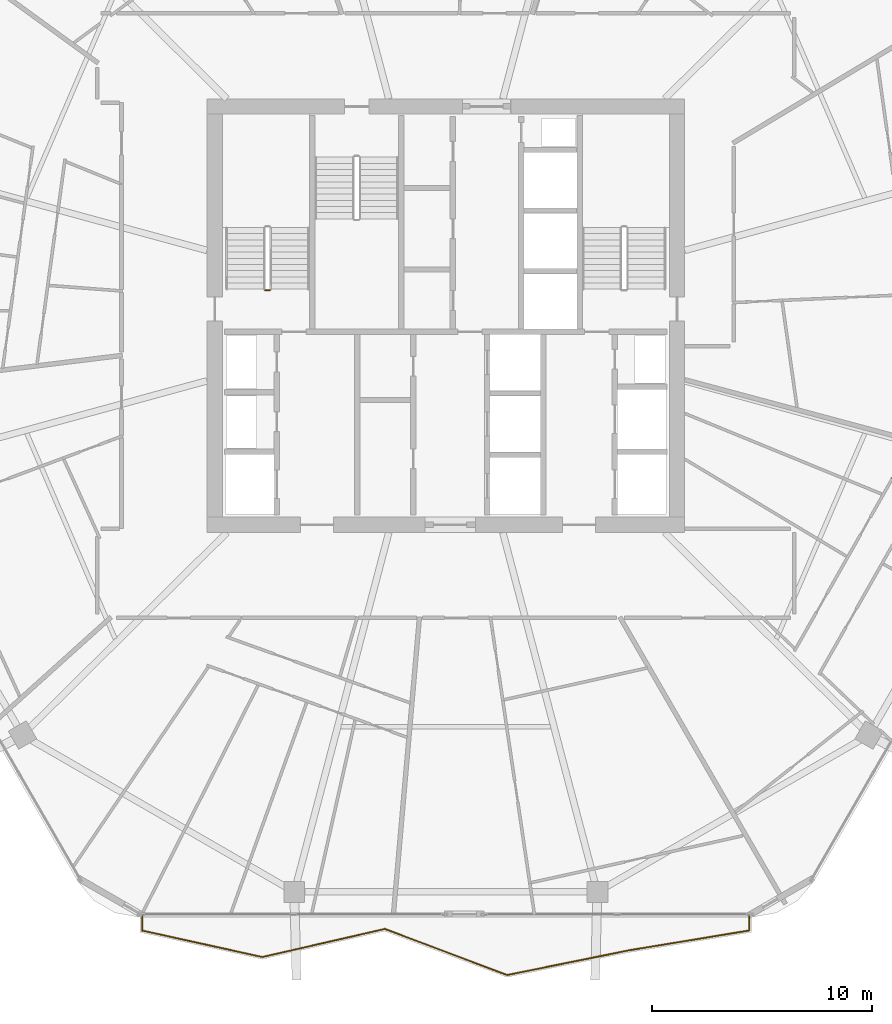
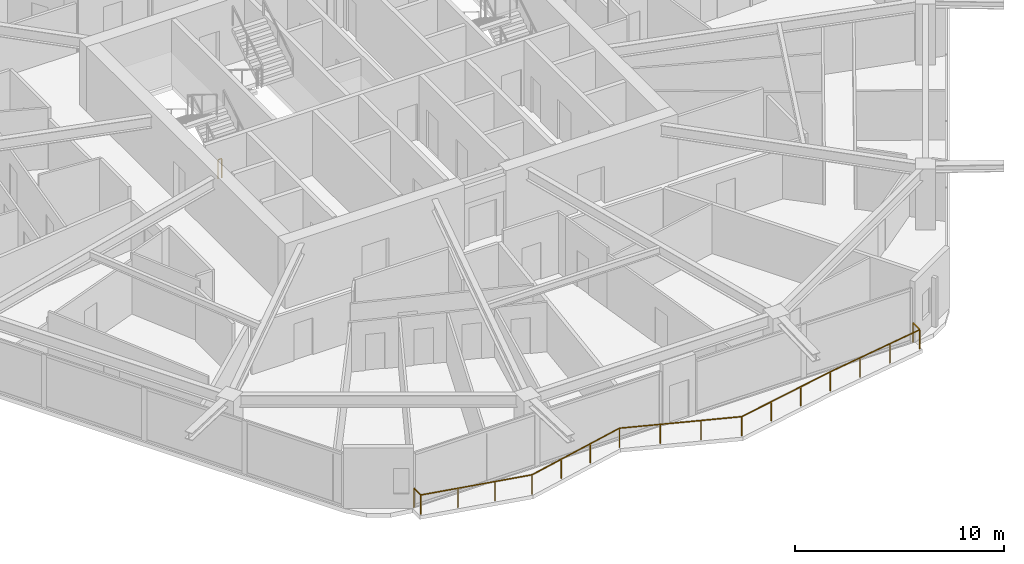
# One storey, part 24 of 25: 2 railings.
"""IFC4 building model written with IfcOpenShell, lengths in metres."""

from ifc_helpers import new_model, si_unit, direction, frame, origin, origin_2d, place, context, subcontext, project, spatial, rectangle, extrude, material, type_object, element, save


model = new_model("IFC4")

# Units and contexts
model_context = context("Model", 3, precision=1e-05, world=origin(), true_north=direction((0.0, 1.0)))
body_context = subcontext(model_context, "Body", "Model", "MODEL_VIEW")
ifc_project = project(units=[si_unit("LENGTHUNIT", "METRE"), si_unit("AREAUNIT", "SQUARE_METRE"), si_unit("VOLUMEUNIT", "CUBIC_METRE"), si_unit("PLANEANGLEUNIT", "RADIAN"), si_unit("MASSUNIT", "GRAM", prefix="KILO")], contexts=[model_context])

# Site, building, storey
site_placement = place(None, origin())
site = spatial("IfcSite", under=ifc_project, at=site_placement, CompositionType="ELEMENT")
building_placement = place(site_placement, origin())
building = spatial("IfcBuilding", under=site, at=building_placement, Name="Zuhravey Tower", CompositionType="ELEMENT")
storey_placement = place(building_placement, frame((0.0, 0.0, 196.0)))
storey = spatial("IfcBuildingStorey", under=building, at=storey_placement, Name="L49", CompositionType="ELEMENT", Elevation=196.0)

# Railings
ifc_material_1 = material(Name="Stainless steel 316 and laminated glass", Category="steel")
railing_type_1 = type_object("IfcRailingType", Name="Balcony & Terrace Guardrail 1150", PredefinedType="BALUSTRADE", material=ifc_material_1)
railing_1_placement = place(storey_placement, frame((49.7900390625, 4.73193359375, 0.0)))
element("IfcRailing", 1, at=railing_1_placement, inside=storey, type_object=railing_type_1, Name="L49 Face 5 Wave Balcony Guardrail GR1", PredefinedType="BALUSTRADE", context=body_context, shape_type="SweptSolid", body=[
    extrude(rectangle(XDim=0.048095703125, YDim=0.048095703125, at=origin_2d()), frame((0.0, -0.001953125, 1.1259765625), z_axis=(0.0, -1.0, 0.0), x_axis=(1.0, 0.0, 0.0)), (0.0, 0.0, 1.0), 0.651123046875),
    extrude(rectangle(XDim=0.048095703125, YDim=0.048095703125, at=origin_2d()), frame((-0.001953125, -0.6552734375, 1.1259765625), z_axis=(-0.986670809761, -0.162728956137, 0.0), x_axis=(0.162728956137, -0.986670809761, 0.0)), (0.0, 0.0, 1.0), 5.544189453125),
    extrude(rectangle(XDim=0.048095703125, YDim=0.048095703125, at=origin_2d()), frame((-5.47607421875, -1.558349609375, 1.1259765625), z_axis=(-0.980076515324, -0.198620301353, 0.0), x_axis=(0.198620301353, -0.980076515324, 0.0)), (0.0, 0.0, 1.0), 5.637939453125),
    extrude(rectangle(XDim=0.048095703125, YDim=0.048095703125, at=origin_2d()), frame((-11.005615234375, -2.677734375, 1.1259765625), z_axis=(-0.935884055715, 0.352308152415, 0.0), x_axis=(-0.352308152415, -0.935884055715, 0.0)), (0.0, 0.0, 1.0), 5.93408203125),
    extrude(rectangle(XDim=0.048095703125, YDim=0.048095703125, at=origin_2d()), frame((-16.56298828125, -0.5869140625, 1.1259765625), z_axis=(-0.974697383174, -0.223528546799, 0.0), x_axis=(0.223528546799, -0.974697383174, 0.0)), (0.0, 0.0, 1.0), 5.703857421875),
    extrude(rectangle(XDim=0.048095703125, YDim=0.048095703125, at=origin_2d()), frame((-22.12646484375, -1.86181640625, 1.1259765625), z_axis=(-0.976553775536, 0.215273601463, 0.0), x_axis=(-0.215273601463, -0.976553775536, 0.0)), (0.0, 0.0, 1.0), 5.58251953125),
    extrude(rectangle(XDim=0.048095703125, YDim=0.048095703125, at=origin_2d()), frame((-27.580078125, -0.65771484375, 1.1259765625), z_axis=(0.0, 1.0, 0.0), x_axis=(-1.0, 0.0, 0.0)), (0.0, 0.0, 1.0), 0.65576171875),
    extrude(rectangle(XDim=0.0419921875, YDim=0.0419921875, at=origin_2d()), origin(), (0.0, 0.0, 1.0), 1.099853515625),
    extrude(rectangle(XDim=0.0419921875, YDim=0.0419921875, at=origin_2d()), frame((0.0, -0.655029296875, 0.0)), (0.0, 0.0, 1.0), 1.099853515625),
    extrude(rectangle(XDim=0.0419921875, YDim=0.0419921875, at=origin_2d()), frame((-1.82470703125, -0.9560546875, 0.0)), (0.0, 0.0, 1.0), 1.099853515625),
    extrude(rectangle(XDim=0.0419921875, YDim=0.0419921875, at=origin_2d()), frame((-3.6494140625, -1.2568359375, 0.0)), (0.0, 0.0, 1.0), 1.099853515625),
    extrude(rectangle(XDim=0.0419921875, YDim=0.0419921875, at=origin_2d()), frame((-5.47412109375, -1.557861328125, 0.0)), (0.0, 0.0, 1.0), 1.099853515625),
    extrude(rectangle(XDim=0.0419921875, YDim=0.0419921875, at=origin_2d()), frame((-7.3173828125, -1.931396484375, 0.0)), (0.0, 0.0, 1.0), 1.099853515625),
    extrude(rectangle(XDim=0.0419921875, YDim=0.0419921875, at=origin_2d()), frame((-9.160400390625, -2.304931640625, 0.0)), (0.0, 0.0, 1.0), 1.099853515625),
    extrude(rectangle(XDim=0.0419921875, YDim=0.0419921875, at=origin_2d()), frame((-11.003662109375, -2.678466796875, 0.0)), (0.0, 0.0, 1.0), 1.099853515625),
    extrude(rectangle(XDim=0.0419921875, YDim=0.0419921875, at=origin_2d()), frame((-12.856201171875, -1.981201171875, 0.0)), (0.0, 0.0, 1.0), 1.099853515625),
    extrude(rectangle(XDim=0.0419921875, YDim=0.0419921875, at=origin_2d()), frame((-14.70849609375, -1.28369140625, 0.0)), (0.0, 0.0, 1.0), 1.099853515625),
    extrude(rectangle(XDim=0.0419921875, YDim=0.0419921875, at=origin_2d()), frame((-16.56103515625, -0.58642578125, 0.0)), (0.0, 0.0, 1.0), 1.099853515625),
    extrude(rectangle(XDim=0.0419921875, YDim=0.0419921875, at=origin_2d()), frame((-18.41552734375, -1.01171875, 0.0)), (0.0, 0.0, 1.0), 1.099853515625),
    extrude(rectangle(XDim=0.0419921875, YDim=0.0419921875, at=origin_2d()), frame((-20.27001953125, -1.43701171875, 0.0)), (0.0, 0.0, 1.0), 1.099853515625),
    extrude(rectangle(XDim=0.0419921875, YDim=0.0419921875, at=origin_2d()), frame((-22.12451171875, -1.8623046875, 0.0)), (0.0, 0.0, 1.0), 1.099853515625),
    extrude(rectangle(XDim=0.0419921875, YDim=0.0419921875, at=origin_2d()), frame((-23.943115234375, -1.46142578125, 0.0)), (0.0, 0.0, 1.0), 1.099853515625),
    extrude(rectangle(XDim=0.0419921875, YDim=0.0419921875, at=origin_2d()), frame((-25.761474609375, -1.060546875, 0.0)), (0.0, 0.0, 1.0), 1.099853515625),
    extrude(rectangle(XDim=0.0419921875, YDim=0.0419921875, at=origin_2d()), frame((-27.580078125, -0.65966796875, 0.0)), (0.0, 0.0, 1.0), 1.099853515625),
    extrude(rectangle(XDim=0.0419921875, YDim=0.0419921875, at=origin_2d()), frame((-27.580078125, 0.0, 0.0)), (0.0, 0.0, 1.0), 1.099853515625),
])
ifc_material_2 = material(Name="Painted tubular steel", Category="steel")
railing_type_2 = type_object("IfcRailingType", Name="Stair Well Guardrail 1150", PredefinedType="GUARDRAIL", material=ifc_material_2)
railing_2_placement = place(storey_placement, frame((28.0, 33.14990234375, 0.0)))
element("IfcRailing", 2, at=railing_2_placement, inside=storey, type_object=railing_type_2, Name="L49 ST1 stair guard 4", PredefinedType="GUARDRAIL", context=body_context, shape_type="SweptSolid", body=[
    extrude(rectangle(XDim=0.048095703125, YDim=0.048095703125, at=origin_2d()), frame((-0.001953125, 0.0, 1.1259765625), z_axis=(-1.0, 0.0, 0.0), x_axis=(0.0, -1.0, 0.0)), (0.0, 0.0, 1.0), 0.196044921875),
    extrude(rectangle(XDim=0.0419921875, YDim=0.0419921875, at=origin_2d()), origin(), (0.0, 0.0, 1.0), 1.099853515625),
    extrude(rectangle(XDim=0.0419921875, YDim=0.0419921875, at=origin_2d()), frame((-0.199951171875, 0.0, 0.0)), (0.0, 0.0, 1.0), 1.099853515625),
])

save(model, "model.ifc")
